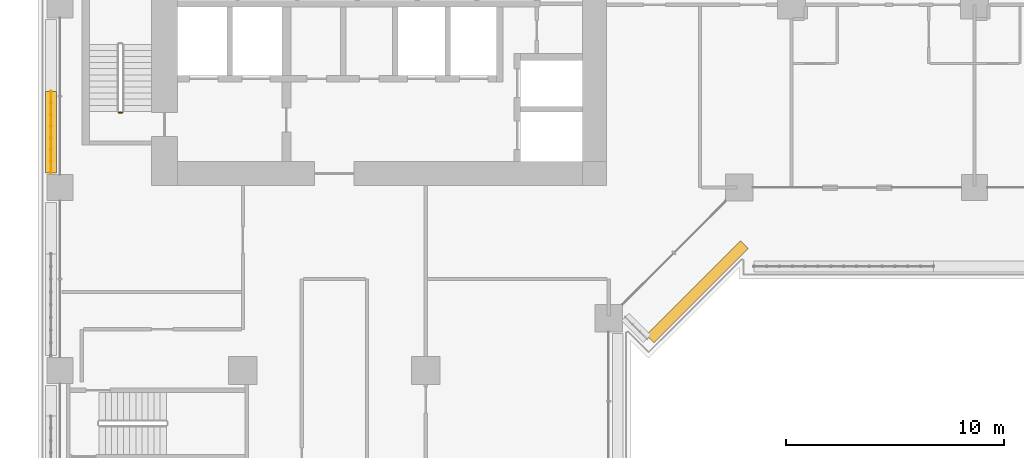
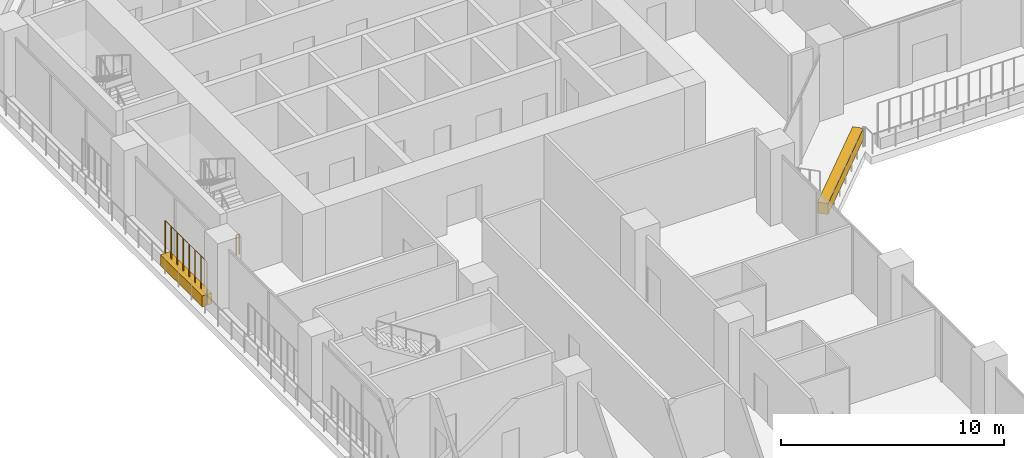
# One storey, part 23 of 28: 2 coverings, 2 railings.
"""IFC4 building model written with IfcOpenShell, lengths in metres."""

from ifc_helpers import new_model, si_unit, direction, frame, origin, origin_2d, place, context, subcontext, project, spatial, rectangle, circle, extrude, material, material_profile, profile_set, type_object, element, save


model = new_model("IFC4")

# Units and contexts
model_context = context("Model", 3, precision=1e-05, world=origin(), true_north=direction((0.0, 1.0)))
body_context = subcontext(model_context, "Body", "Model", "MODEL_VIEW")
ifc_project = project(units=[si_unit("LENGTHUNIT", "METRE"), si_unit("AREAUNIT", "SQUARE_METRE"), si_unit("VOLUMEUNIT", "CUBIC_METRE"), si_unit("PLANEANGLEUNIT", "RADIAN"), si_unit("MASSUNIT", "GRAM", prefix="KILO")], contexts=[model_context])

# Site, building, storey
site_placement = place(None, origin())
site = spatial("IfcSite", under=ifc_project, at=site_placement, CompositionType="ELEMENT")
building_placement = place(site_placement, origin())
building = spatial("IfcBuilding", under=site, at=building_placement, Name="Kawkab Arch Medical Tower", CompositionType="ELEMENT")
storey_placement = place(building_placement, frame((0.0, 0.0, 89.60009765625)))
storey = spatial("IfcBuildingStorey", under=building, at=storey_placement, Name="L20", CompositionType="ELEMENT", Elevation=89.60009765625)

# Coverings
ifc_material_1 = material(Name="Planting soil in a precast trough", Category="concrete")
ifc_material_profile = material_profile(ifc_material_1, rectangle(XDim=0.5, YDim=0.60009765625, at=origin_2d()), Name="Trough 500x600")
ifc_profile_set = profile_set([ifc_material_profile], Name="Planting soil in a precast trough")
covering_type = type_object("IfcCoveringType", Name="Planter trough 500 x 600", PredefinedType="USERDEFINED", material=ifc_profile_set)
covering_1_placement = place(storey_placement, frame((-0.419921875, -24.52001953125, 0.2998046875), z_axis=(0.0, 1.0, 0.0), x_axis=(-1.0, 0.0, 0.0)))
element("IfcCovering", 1, at=covering_1_placement, inside=storey, type_object=covering_type, Name="Planter L20.LOG-01-01.13", ObjectType="PLANTER", PredefinedType="USERDEFINED", context=body_context, shape_type="SweptSolid", body=[
    extrude(rectangle(XDim=0.5, YDim=0.60009765625, at=origin_2d()), origin(), (0.0, 0.0, 1.0), 3.73291015625),
])
covering_2_placement = place(storey_placement, frame((31.43701171875, -27.820068359375, 0.2998046875), z_axis=(-0.707206504313, -0.707007043994, 0.0), x_axis=(0.707007043994, -0.707206504313, 0.0)))
element("IfcCovering", 2, at=covering_2_placement, inside=storey, type_object=covering_type, Name="Planter L20.LOG-01-01.42", ObjectType="PLANTER", PredefinedType="USERDEFINED", context=body_context, shape_type="SweptSolid", body=[
    extrude(rectangle(XDim=0.5, YDim=0.60009765625, at=origin_2d()), origin(), (0.0, 0.0, 1.0), 6.1201171875),
])

# Railings
ifc_material_2 = material(Name="Bronze anodised aluminium trellis for climbing plants", Category="aluminium")
railing_type_1 = type_object("IfcRailingType", Name="Planting trellis 2400", PredefinedType="USERDEFINED", material=ifc_material_2)
railing_1_placement = place(storey_placement, frame((-0.419921875, -24.52001953125, 0.0)))
element("IfcRailing", 3, at=railing_1_placement, inside=storey, type_object=railing_type_1, Name="Planting trellis L20.LOG-01-01.13", ObjectType="TRELLIS", PredefinedType="USERDEFINED", context=body_context, shape_type="SweptSolid", body=[
    extrude(circle(Radius=0.01513671875, at=origin_2d()), frame((0.0, 0.0, 2.384765625), z_axis=(0.0, 1.0, 0.0), x_axis=(-1.0, 0.0, 0.0)), (0.0, 0.0, 1.0), 3.73291015625),
    extrude(circle(Radius=0.030029296875, at=origin_2d()), origin(), (0.0, 0.0, 1.0), 2.369873046875),
    extrude(circle(Radius=0.030029296875, at=origin_2d()), frame((0.0, 0.533203125, 0.0)), (0.0, 0.0, 1.0), 2.369873046875),
    extrude(circle(Radius=0.030029296875, at=origin_2d()), frame((0.0, 1.066650390625, 0.0)), (0.0, 0.0, 1.0), 2.369873046875),
    extrude(circle(Radius=0.030029296875, at=origin_2d()), frame((0.0, 1.599853515625, 0.0)), (0.0, 0.0, 1.0), 2.369873046875),
    extrude(circle(Radius=0.030029296875, at=origin_2d()), frame((0.0, 2.133056640625, 0.0)), (0.0, 0.0, 1.0), 2.369873046875),
    extrude(circle(Radius=0.030029296875, at=origin_2d()), frame((0.0, 2.666259765625, 0.0)), (0.0, 0.0, 1.0), 2.369873046875),
    extrude(circle(Radius=0.030029296875, at=origin_2d()), frame((0.0, 3.19970703125, 0.0)), (0.0, 0.0, 1.0), 2.369873046875),
    extrude(circle(Radius=0.030029296875, at=origin_2d()), frame((0.0, 3.73291015625, 0.0)), (0.0, 0.0, 1.0), 2.369873046875),
])
ifc_material_3 = material(Name="Stainless steel", Category="steel")
railing_type_2 = type_object("IfcRailingType", Name="Stair guard 1100", PredefinedType="GUARDRAIL", material=ifc_material_3)
railing_2_placement = place(storey_placement, frame((2.85009765625, -21.75, 0.0)))
element("IfcRailing", 4, at=railing_2_placement, inside=storey, type_object=railing_type_2, Name="L20 ST2 stair guard 4", PredefinedType="GUARDRAIL", context=body_context, shape_type="SweptSolid", body=[
    extrude(circle(Radius=0.02392578125, at=origin_2d()), frame((0.0, 0.0, 1.076171875), z_axis=(-1.0, 0.0, 0.0), x_axis=(0.0, -1.0, 0.0)), (0.0, 0.0, 1.0), 0.150146484375),
    extrude(circle(Radius=0.02099609375, at=origin_2d()), origin(), (0.0, 0.0, 1.0), 1.052001953125),
    extrude(circle(Radius=0.02099609375, at=origin_2d()), frame((-0.150146484375, 0.0, 0.0)), (0.0, 0.0, 1.0), 1.052001953125),
])

save(model, "model.ifc")
